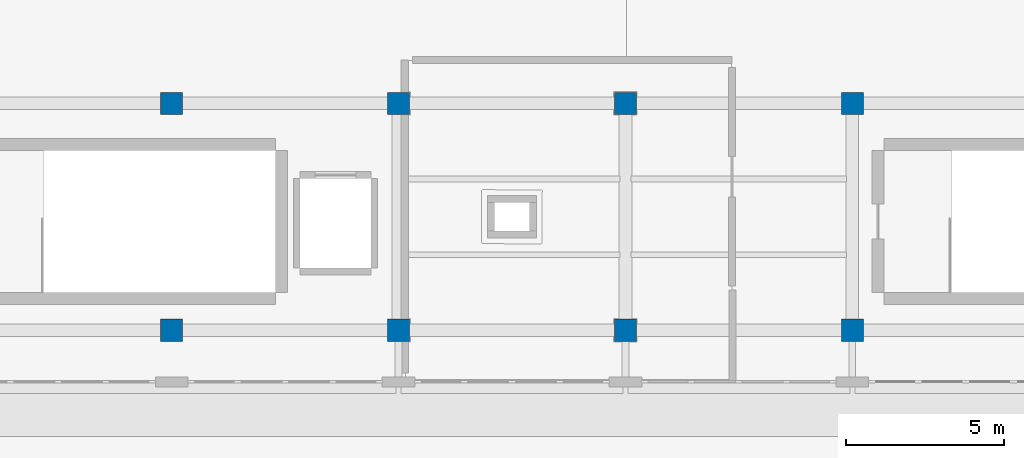
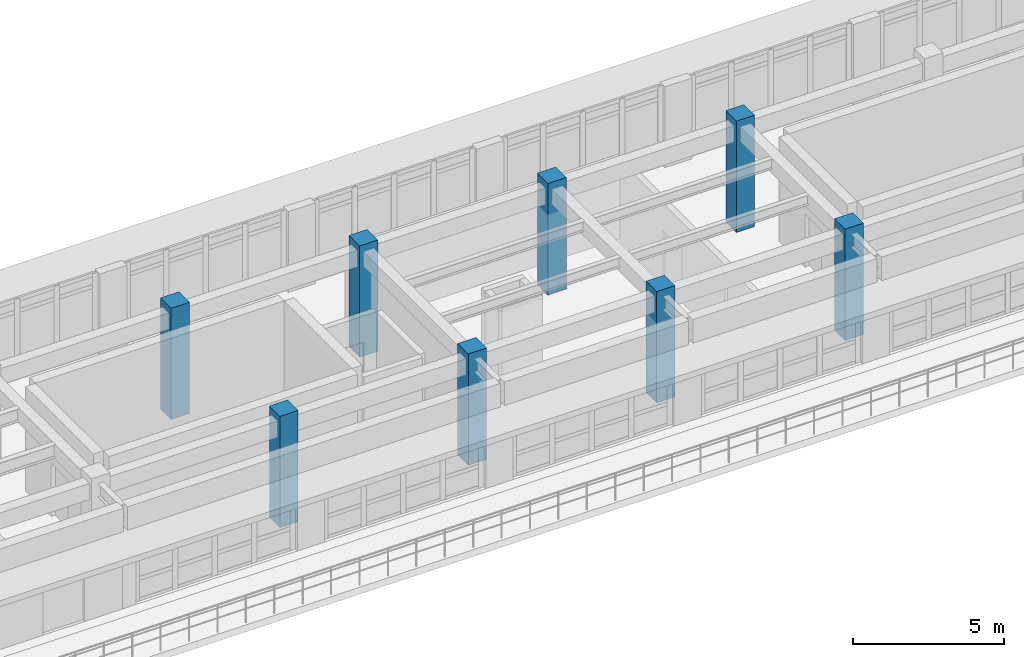
# One storey, part 2 of 55: 8 columns.
"""IFC4 building model written with IfcOpenShell, lengths in metres."""

from ifc_helpers import new_model, si_unit, direction, frame, origin, origin_2d, place, context, subcontext, project, spatial, rectangle, extrude, material, material_profile, profile_set, type_object, element, save


model = new_model("IFC4")

# Units and contexts
model_context = context("Model", 3, precision=1e-05, world=origin(), true_north=direction((0.0, 1.0)))
body_context = subcontext(model_context, "Body", "Model", "MODEL_VIEW")
ifc_project = project(units=[si_unit("LENGTHUNIT", "METRE"), si_unit("AREAUNIT", "SQUARE_METRE"), si_unit("VOLUMEUNIT", "CUBIC_METRE"), si_unit("PLANEANGLEUNIT", "RADIAN"), si_unit("MASSUNIT", "GRAM", prefix="KILO")], contexts=[model_context])

# Site, building, storey
site_placement = place(None, origin())
site = spatial("IfcSite", under=ifc_project, at=site_placement, CompositionType="ELEMENT")
building_placement = place(site_placement, origin())
building = spatial("IfcBuilding", under=site, at=building_placement, Name="Solenvale Faculty of Natural Sciences", CompositionType="ELEMENT")
storey_placement = place(building_placement, frame((0.0, 0.0, 22.5)))
storey = spatial("IfcBuildingStorey", under=building, at=storey_placement, Name="L05", CompositionType="ELEMENT", Elevation=22.5)

# Columns
ifc_material = material(Name="Concrete 40 MPa", Category="concrete")
ifc_material_profile = material_profile(ifc_material, rectangle(XDim=0.699951171875, YDim=0.699951171875, at=origin_2d()), Name="RC-COL-700x700")
ifc_profile_set = profile_set([ifc_material_profile], Name="Concrete 40 MPa")
column_type = type_object("IfcColumnType", Name="COL-RC-700", PredefinedType="COLUMN", material=ifc_profile_set)
for number, where, z_axis, x_axis, name in (
    (1, (72.0, 21.60009765625, 0.0), (0.0, 0.0, 1.0), (1.0, 0.0, 0.0), "L05 Column (72.0, 21.6)"),
    (2, (72.0, 28.800048828125, 0.0), (0.0, 0.0, 1.0), (1.0, 0.0, 0.0), "L05 Column (72.0, 28.8)"),
    (3, (79.199951171875, 21.60009765625, 0.0), (0.0, 0.0, 1.0), (1.0, 0.0, 0.0), "L05 Column (79.2, 21.6)"),
    (4, (79.199951171875, 28.800048828125, 0.0), (0.0, 0.0, 1.0), (1.0, 0.0, 0.0), "L05 Column (79.2, 28.8)"),
    (5, (86.39990234375, 21.60009765625, 0.0), (0.0, 0.0, 1.0), (1.0, 0.0, 0.0), "L05 Column (86.4, 21.6)"),
    (6, (86.39990234375, 28.800048828125, 0.0), (0.0, 0.0, 1.0), (1.0, 0.0, 0.0), "L05 Column (86.4, 28.8)"),
    (7, (93.60009765625, 21.60009765625, 0.0), (0.0, 0.0, 1.0), (1.0, 0.0, 0.0), "L05 Column (93.6, 21.6)"),
    (8, (93.60009765625, 28.800048828125, 0.0), (0.0, 0.0, 1.0), (1.0, 0.0, 0.0), "L05 Column (93.6, 28.8)"),
):
    element("IfcColumn", number, at=place(storey_placement, frame(where, z_axis=z_axis, x_axis=x_axis)), inside=storey, type_object=column_type, Name=name, PredefinedType="COLUMN", context=body_context, shape_type="SweptSolid", body=[
        extrude(rectangle(XDim=0.699951171875, YDim=0.699951171875, at=origin_2d()), origin(), (0.0, 0.0, 1.0), 4.5),
    ])

save(model, "model.ifc")
